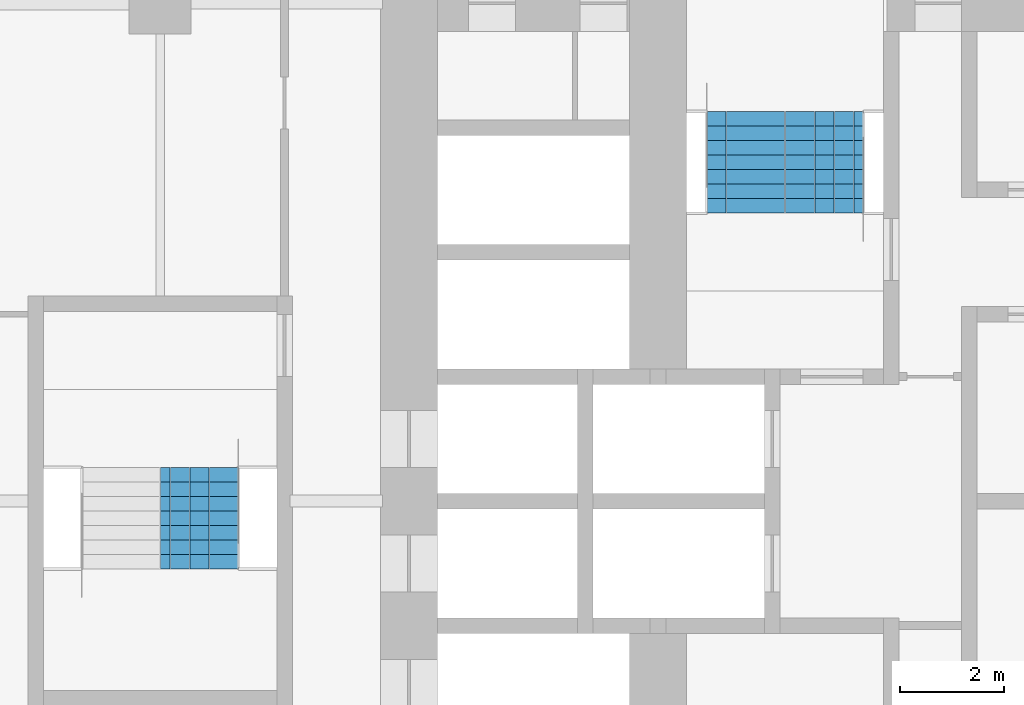
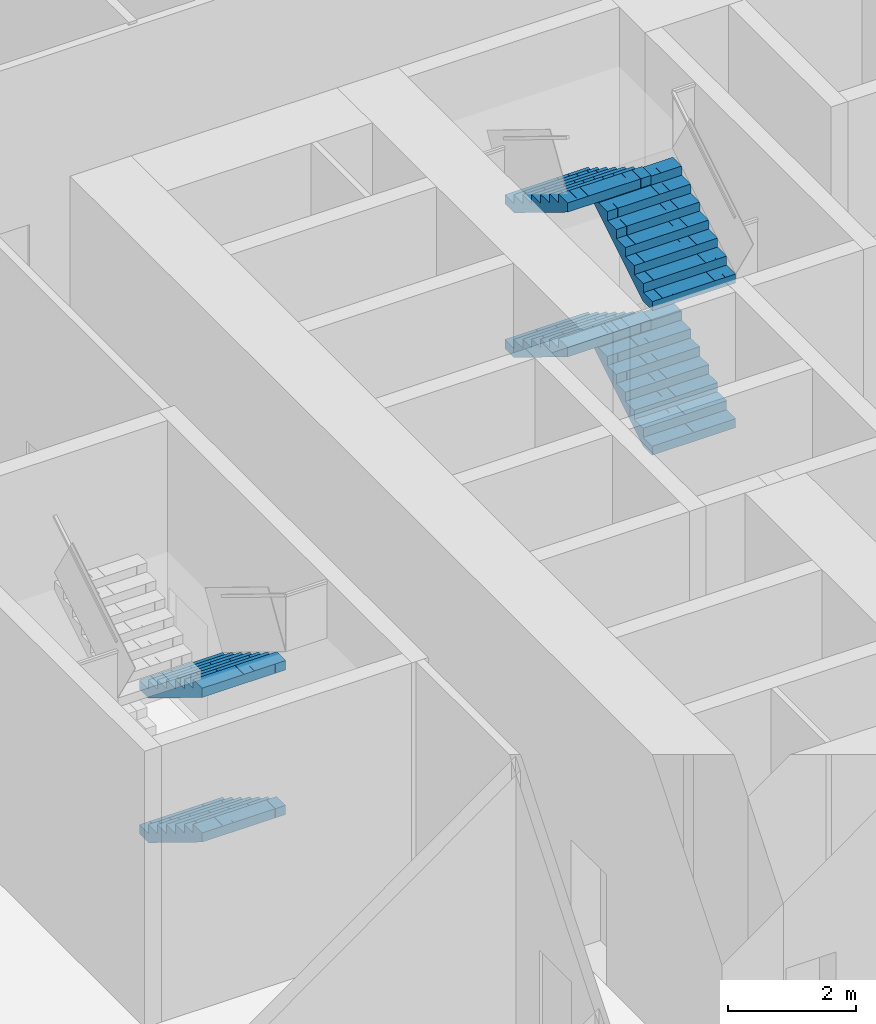
# One storey, part 25 of 29: 6 stair flights, 2 elements without a shape of their own.
"""IFC4 building model written with IfcOpenShell, lengths in metres."""

from ifc_helpers import new_model, si_unit, direction, frame, origin, place, context, subcontext, project, spatial, polyline, outline, extrude, material, type_object, element, aggregate, save


model = new_model("IFC4")

# Units and contexts
model_context = context("Model", 3, precision=1e-05, world=origin(), true_north=direction((0.0, 1.0)))
body_context = subcontext(model_context, "Body", "Model", "MODEL_VIEW")
ifc_project = project(units=[si_unit("LENGTHUNIT", "METRE"), si_unit("AREAUNIT", "SQUARE_METRE"), si_unit("VOLUMEUNIT", "CUBIC_METRE"), si_unit("PLANEANGLEUNIT", "RADIAN"), si_unit("MASSUNIT", "GRAM", prefix="KILO")], contexts=[model_context])

# Site, building, storey
site_placement = place(None, origin())
site = spatial("IfcSite", under=ifc_project, at=site_placement, CompositionType="ELEMENT")
building_placement = place(site_placement, origin())
building = spatial("IfcBuilding", under=site, at=building_placement, Name="Kolab Exchange Tower", CompositionType="ELEMENT")
storey_placement = place(building_placement, frame((0.0, 0.0, 55.39990234375)))
storey = spatial("IfcBuildingStorey", under=building, at=storey_placement, Name="L10", CompositionType="ELEMENT", Elevation=55.39990234375)

# Stair, stair flights
ifc_material = material(Name="Concrete C50/60", Category="concrete")
stair_type_1 = type_object("IfcStairType", Name="STAIR ST1 RISER 171.9", PredefinedType="DOUBLE_RETURN_STAIR", material=ifc_material)
stair_1_placement = place(storey_placement, origin())
stair_1 = element("IfcStair", 1, at=stair_1_placement, inside=storey, type_object=stair_type_1, Name="Stair 1", PredefinedType="DOUBLE_RETURN_STAIR")
stair_flight_type = type_object("IfcStairFlightType", Name="STAIR FLIGHT 1500 RISER 171.9", PredefinedType="STRAIGHT", material=ifc_material)
stair_flight_1_placement = place(storey_placement, frame((-6.389892578125, 5.550048828125, 0.0), z_axis=(0.0, 0.0, 1.0), x_axis=(0.0, 1.0, 0.0)))
stair_flight_1 = element("IfcStairFlight", 2, at=stair_flight_1_placement, type_object=stair_flight_type, Name="ST1 flight 1", NumberOfRisers=8, NumberOfTreads=7, PredefinedType="STRAIGHT", RiserHeight=0.171875, TreadLength=0.28, context=body_context, shape_type="SweptSolid", body=[
    extrude(outline(polyline([(0.0, 0.0), (0.0, 0.171875), (0.280029296875, 0.171875), (0.280029296875, 0.34375), (0.56005859375, 0.34375), (0.56005859375, 0.515625), (0.840087890625, 0.515625), (0.840087890625, 0.6875), (1.1201171875, 0.6875), (1.1201171875, 0.859375), (1.39990234375, 0.859375), (1.39990234375, 1.03125), (1.679931640625, 1.03125), (1.679931640625, 1.203125), (1.9599609375, 1.203125), (1.9599609375, 1.375), (1.9599609375, 1.02734375), (0.28662109375, 0.0), (0.0, 0.0)])), frame((0.0, 0.75, 0.0), z_axis=(0.0, -1.0, 0.0), x_axis=(1.0, 0.0, 0.0)), (0.0, 0.0, 1.0), 0.185791015625),
    extrude(outline(polyline([(0.0, 0.0), (0.0, 0.171875), (0.280029296875, 0.171875), (0.280029296875, 0.34375), (0.56005859375, 0.34375), (0.56005859375, 0.515625), (0.840087890625, 0.515625), (0.840087890625, 0.6875), (1.1201171875, 0.6875), (1.1201171875, 0.859375), (1.39990234375, 0.859375), (1.39990234375, 1.03125), (1.679931640625, 1.03125), (1.679931640625, 1.203125), (1.9599609375, 1.203125), (1.9599609375, 1.375), (1.9599609375, 1.02734375), (0.28662109375, 0.0), (0.0, 0.0)])), frame((0.0, 0.562255859375, 0.0), z_axis=(0.0, -1.0, 0.0), x_axis=(1.0, 0.0, 0.0)), (0.0, 0.0, 1.0), 0.185791015625),
    extrude(outline(polyline([(0.0, 0.0), (0.0, 0.171875), (0.280029296875, 0.171875), (0.280029296875, 0.34375), (0.56005859375, 0.34375), (0.56005859375, 0.515625), (0.840087890625, 0.515625), (0.840087890625, 0.6875), (1.1201171875, 0.6875), (1.1201171875, 0.859375), (1.39990234375, 0.859375), (1.39990234375, 1.03125), (1.679931640625, 1.03125), (1.679931640625, 1.203125), (1.9599609375, 1.203125), (1.9599609375, 1.375), (1.9599609375, 1.02734375), (0.28662109375, 0.0), (0.0, 0.0)])), frame((0.0, 0.37451171875, 0.0), z_axis=(0.0, -1.0, 0.0), x_axis=(1.0, 0.0, 0.0)), (0.0, 0.0, 1.0), 0.185791015625),
    extrude(outline(polyline([(0.0, 0.0), (0.0, 0.171875), (0.280029296875, 0.171875), (0.280029296875, 0.34375), (0.56005859375, 0.34375), (0.56005859375, 0.515625), (0.840087890625, 0.515625), (0.840087890625, 0.6875), (1.1201171875, 0.6875), (1.1201171875, 0.859375), (1.39990234375, 0.859375), (1.39990234375, 1.03125), (1.679931640625, 1.03125), (1.679931640625, 1.203125), (1.9599609375, 1.203125), (1.9599609375, 1.375), (1.9599609375, 1.02734375), (0.28662109375, 0.0), (0.0, 0.0)])), frame((0.0, 0.186767578125, 0.0), z_axis=(0.0, -1.0, 0.0), x_axis=(1.0, 0.0, 0.0)), (0.0, 0.0, 1.0), 0.185791015625),
    extrude(outline(polyline([(0.0, 0.0), (0.0, 0.171875), (0.280029296875, 0.171875), (0.280029296875, 0.34375), (0.56005859375, 0.34375), (0.56005859375, 0.515625), (0.840087890625, 0.515625), (0.840087890625, 0.6875), (1.1201171875, 0.6875), (1.1201171875, 0.859375), (1.39990234375, 0.859375), (1.39990234375, 1.03125), (1.679931640625, 1.03125), (1.679931640625, 1.203125), (1.9599609375, 1.203125), (1.9599609375, 1.375), (1.9599609375, 1.02734375), (0.28662109375, 0.0), (0.0, 0.0)])), frame((0.0, -0.0009765625, 0.0), z_axis=(0.0, -1.0, 0.0), x_axis=(1.0, 0.0, 0.0)), (0.0, 0.0, 1.0), 0.185791015625),
    extrude(outline(polyline([(0.0, 0.0), (0.0, 0.171875), (0.280029296875, 0.171875), (0.280029296875, 0.34375), (0.56005859375, 0.34375), (0.56005859375, 0.515625), (0.840087890625, 0.515625), (0.840087890625, 0.6875), (1.1201171875, 0.6875), (1.1201171875, 0.859375), (1.39990234375, 0.859375), (1.39990234375, 1.03125), (1.679931640625, 1.03125), (1.679931640625, 1.203125), (1.9599609375, 1.203125), (1.9599609375, 1.375), (1.9599609375, 1.02734375), (0.28662109375, 0.0), (0.0, 0.0)])), frame((0.0, -0.188720703125, 0.0), z_axis=(0.0, -1.0, 0.0), x_axis=(1.0, 0.0, 0.0)), (0.0, 0.0, 1.0), 0.185791015625),
    extrude(outline(polyline([(0.0, 0.0), (0.0, 0.171875), (0.280029296875, 0.171875), (0.280029296875, 0.34375), (0.56005859375, 0.34375), (0.56005859375, 0.515625), (0.840087890625, 0.515625), (0.840087890625, 0.6875), (1.1201171875, 0.6875), (1.1201171875, 0.859375), (1.39990234375, 0.859375), (1.39990234375, 1.03125), (1.679931640625, 1.03125), (1.679931640625, 1.203125), (1.9599609375, 1.203125), (1.9599609375, 1.375), (1.9599609375, 1.02734375), (0.28662109375, 0.0), (0.0, 0.0)])), frame((0.0, -0.37646484375, 0.0), z_axis=(0.0, -1.0, 0.0), x_axis=(1.0, 0.0, 0.0)), (0.0, 0.0, 1.0), 0.185791015625),
    extrude(outline(polyline([(0.0, 0.0), (0.0, 0.171875), (0.280029296875, 0.171875), (0.280029296875, 0.34375), (0.56005859375, 0.34375), (0.56005859375, 0.515625), (0.840087890625, 0.515625), (0.840087890625, 0.6875), (1.1201171875, 0.6875), (1.1201171875, 0.859375), (1.39990234375, 0.859375), (1.39990234375, 1.03125), (1.679931640625, 1.03125), (1.679931640625, 1.203125), (1.9599609375, 1.203125), (1.9599609375, 1.375), (1.9599609375, 1.02734375), (0.28662109375, 0.0), (0.0, 0.0)])), frame((0.0, -0.564208984375, 0.0), z_axis=(0.0, -1.0, 0.0), x_axis=(1.0, 0.0, 0.0)), (0.0, 0.0, 1.0), 0.185791015625),
])
stair_flight_2_placement = place(storey_placement, frame((-7.909912109375, 7.510009765625, 1.375), z_axis=(0.0, 0.0, 1.0), x_axis=(0.0, -1.0, 0.0)))
stair_flight_2 = element("IfcStairFlight", 3, at=stair_flight_2_placement, type_object=stair_flight_type, Name="ST1 flight 2", NumberOfRisers=8, NumberOfTreads=7, PredefinedType="STRAIGHT", RiserHeight=0.171875, TreadLength=0.28, context=body_context, shape_type="SweptSolid", body=[
    extrude(outline(polyline([(0.0, 0.0), (0.0, 0.171875), (0.280029296875, 0.171875), (0.280029296875, 0.34375), (0.56005859375, 0.34375), (0.56005859375, 0.515625), (0.840087890625, 0.515625), (0.840087890625, 0.6875), (1.1201171875, 0.6875), (1.1201171875, 0.859375), (1.39990234375, 0.859375), (1.39990234375, 1.03125), (1.679931640625, 1.03125), (1.679931640625, 1.203125), (1.9599609375, 1.203125), (1.9599609375, 1.375), (1.9599609375, 1.02734375), (0.28662109375, 0.0), (0.0, 0.0)])), frame((0.0, 0.75, 0.0), z_axis=(0.0, -1.0, 0.0), x_axis=(1.0, 0.0, 0.0)), (0.0, 0.0, 1.0), 0.185791015625),
    extrude(outline(polyline([(0.0, 0.0), (0.0, 0.171875), (0.280029296875, 0.171875), (0.280029296875, 0.34375), (0.56005859375, 0.34375), (0.56005859375, 0.515625), (0.840087890625, 0.515625), (0.840087890625, 0.6875), (1.1201171875, 0.6875), (1.1201171875, 0.859375), (1.39990234375, 0.859375), (1.39990234375, 1.03125), (1.679931640625, 1.03125), (1.679931640625, 1.203125), (1.9599609375, 1.203125), (1.9599609375, 1.375), (1.9599609375, 1.02734375), (0.28662109375, 0.0), (0.0, 0.0)])), frame((0.0, 0.562255859375, 0.0), z_axis=(0.0, -1.0, 0.0), x_axis=(1.0, 0.0, 0.0)), (0.0, 0.0, 1.0), 0.185791015625),
    extrude(outline(polyline([(0.0, 0.0), (0.0, 0.171875), (0.280029296875, 0.171875), (0.280029296875, 0.34375), (0.56005859375, 0.34375), (0.56005859375, 0.515625), (0.840087890625, 0.515625), (0.840087890625, 0.6875), (1.1201171875, 0.6875), (1.1201171875, 0.859375), (1.39990234375, 0.859375), (1.39990234375, 1.03125), (1.679931640625, 1.03125), (1.679931640625, 1.203125), (1.9599609375, 1.203125), (1.9599609375, 1.375), (1.9599609375, 1.02734375), (0.28662109375, 0.0), (0.0, 0.0)])), frame((0.0, 0.37451171875, 0.0), z_axis=(0.0, -1.0, 0.0), x_axis=(1.0, 0.0, 0.0)), (0.0, 0.0, 1.0), 0.185791015625),
    extrude(outline(polyline([(0.0, 0.0), (0.0, 0.171875), (0.280029296875, 0.171875), (0.280029296875, 0.34375), (0.56005859375, 0.34375), (0.56005859375, 0.515625), (0.840087890625, 0.515625), (0.840087890625, 0.6875), (1.1201171875, 0.6875), (1.1201171875, 0.859375), (1.39990234375, 0.859375), (1.39990234375, 1.03125), (1.679931640625, 1.03125), (1.679931640625, 1.203125), (1.9599609375, 1.203125), (1.9599609375, 1.375), (1.9599609375, 1.02734375), (0.28662109375, 0.0), (0.0, 0.0)])), frame((0.0, 0.186767578125, 0.0), z_axis=(0.0, -1.0, 0.0), x_axis=(1.0, 0.0, 0.0)), (0.0, 0.0, 1.0), 0.185791015625),
    extrude(outline(polyline([(0.0, 0.0), (0.0, 0.171875), (0.280029296875, 0.171875), (0.280029296875, 0.34375), (0.56005859375, 0.34375), (0.56005859375, 0.515625), (0.840087890625, 0.515625), (0.840087890625, 0.6875), (1.1201171875, 0.6875), (1.1201171875, 0.859375), (1.39990234375, 0.859375), (1.39990234375, 1.03125), (1.679931640625, 1.03125), (1.679931640625, 1.203125), (1.9599609375, 1.203125), (1.9599609375, 1.375), (1.9599609375, 1.02734375), (0.28662109375, 0.0), (0.0, 0.0)])), frame((0.0, -0.0009765625, 0.0), z_axis=(0.0, -1.0, 0.0), x_axis=(1.0, 0.0, 0.0)), (0.0, 0.0, 1.0), 0.185791015625),
    extrude(outline(polyline([(0.0, 0.0), (0.0, 0.171875), (0.280029296875, 0.171875), (0.280029296875, 0.34375), (0.56005859375, 0.34375), (0.56005859375, 0.515625), (0.840087890625, 0.515625), (0.840087890625, 0.6875), (1.1201171875, 0.6875), (1.1201171875, 0.859375), (1.39990234375, 0.859375), (1.39990234375, 1.03125), (1.679931640625, 1.03125), (1.679931640625, 1.203125), (1.9599609375, 1.203125), (1.9599609375, 1.375), (1.9599609375, 1.02734375), (0.28662109375, 0.0), (0.0, 0.0)])), frame((0.0, -0.188720703125, 0.0), z_axis=(0.0, -1.0, 0.0), x_axis=(1.0, 0.0, 0.0)), (0.0, 0.0, 1.0), 0.185791015625),
    extrude(outline(polyline([(0.0, 0.0), (0.0, 0.171875), (0.280029296875, 0.171875), (0.280029296875, 0.34375), (0.56005859375, 0.34375), (0.56005859375, 0.515625), (0.840087890625, 0.515625), (0.840087890625, 0.6875), (1.1201171875, 0.6875), (1.1201171875, 0.859375), (1.39990234375, 0.859375), (1.39990234375, 1.03125), (1.679931640625, 1.03125), (1.679931640625, 1.203125), (1.9599609375, 1.203125), (1.9599609375, 1.375), (1.9599609375, 1.02734375), (0.28662109375, 0.0), (0.0, 0.0)])), frame((0.0, -0.37646484375, 0.0), z_axis=(0.0, -1.0, 0.0), x_axis=(1.0, 0.0, 0.0)), (0.0, 0.0, 1.0), 0.185791015625),
    extrude(outline(polyline([(0.0, 0.0), (0.0, 0.171875), (0.280029296875, 0.171875), (0.280029296875, 0.34375), (0.56005859375, 0.34375), (0.56005859375, 0.515625), (0.840087890625, 0.515625), (0.840087890625, 0.6875), (1.1201171875, 0.6875), (1.1201171875, 0.859375), (1.39990234375, 0.859375), (1.39990234375, 1.03125), (1.679931640625, 1.03125), (1.679931640625, 1.203125), (1.9599609375, 1.203125), (1.9599609375, 1.375), (1.9599609375, 1.02734375), (0.28662109375, 0.0), (0.0, 0.0)])), frame((0.0, -0.564208984375, 0.0), z_axis=(0.0, -1.0, 0.0), x_axis=(1.0, 0.0, 0.0)), (0.0, 0.0, 1.0), 0.185791015625),
])
stair_flight_3_placement = place(storey_placement, frame((-6.389892578125, 5.550048828125, 2.75), z_axis=(0.0, 0.0, 1.0), x_axis=(0.0, 1.0, 0.0)))
stair_flight_3 = element("IfcStairFlight", 4, at=stair_flight_3_placement, type_object=stair_flight_type, Name="ST1 flight 3", NumberOfRisers=8, NumberOfTreads=7, PredefinedType="STRAIGHT", RiserHeight=0.171875, TreadLength=0.28, context=body_context, shape_type="SweptSolid", body=[
    extrude(outline(polyline([(0.0, 0.0), (0.0, 0.171875), (0.280029296875, 0.171875), (0.280029296875, 0.34375), (0.56005859375, 0.34375), (0.56005859375, 0.515625), (0.840087890625, 0.515625), (0.840087890625, 0.6875), (1.1201171875, 0.6875), (1.1201171875, 0.859375), (1.39990234375, 0.859375), (1.39990234375, 1.03125), (1.679931640625, 1.03125), (1.679931640625, 1.203125), (1.9599609375, 1.203125), (1.9599609375, 1.375), (1.9599609375, 1.02734375), (0.28662109375, 0.0), (0.0, 0.0)])), frame((0.0, 0.75, 0.0), z_axis=(0.0, -1.0, 0.0), x_axis=(1.0, 0.0, 0.0)), (0.0, 0.0, 1.0), 0.185791015625),
    extrude(outline(polyline([(0.0, 0.0), (0.0, 0.171875), (0.280029296875, 0.171875), (0.280029296875, 0.34375), (0.56005859375, 0.34375), (0.56005859375, 0.515625), (0.840087890625, 0.515625), (0.840087890625, 0.6875), (1.1201171875, 0.6875), (1.1201171875, 0.859375), (1.39990234375, 0.859375), (1.39990234375, 1.03125), (1.679931640625, 1.03125), (1.679931640625, 1.203125), (1.9599609375, 1.203125), (1.9599609375, 1.375), (1.9599609375, 1.02734375), (0.28662109375, 0.0), (0.0, 0.0)])), frame((0.0, 0.562255859375, 0.0), z_axis=(0.0, -1.0, 0.0), x_axis=(1.0, 0.0, 0.0)), (0.0, 0.0, 1.0), 0.185791015625),
    extrude(outline(polyline([(0.0, 0.0), (0.0, 0.171875), (0.280029296875, 0.171875), (0.280029296875, 0.34375), (0.56005859375, 0.34375), (0.56005859375, 0.515625), (0.840087890625, 0.515625), (0.840087890625, 0.6875), (1.1201171875, 0.6875), (1.1201171875, 0.859375), (1.39990234375, 0.859375), (1.39990234375, 1.03125), (1.679931640625, 1.03125), (1.679931640625, 1.203125), (1.9599609375, 1.203125), (1.9599609375, 1.375), (1.9599609375, 1.02734375), (0.28662109375, 0.0), (0.0, 0.0)])), frame((0.0, 0.37451171875, 0.0), z_axis=(0.0, -1.0, 0.0), x_axis=(1.0, 0.0, 0.0)), (0.0, 0.0, 1.0), 0.185791015625),
    extrude(outline(polyline([(0.0, 0.0), (0.0, 0.171875), (0.280029296875, 0.171875), (0.280029296875, 0.34375), (0.56005859375, 0.34375), (0.56005859375, 0.515625), (0.840087890625, 0.515625), (0.840087890625, 0.6875), (1.1201171875, 0.6875), (1.1201171875, 0.859375), (1.39990234375, 0.859375), (1.39990234375, 1.03125), (1.679931640625, 1.03125), (1.679931640625, 1.203125), (1.9599609375, 1.203125), (1.9599609375, 1.375), (1.9599609375, 1.02734375), (0.28662109375, 0.0), (0.0, 0.0)])), frame((0.0, 0.186767578125, 0.0), z_axis=(0.0, -1.0, 0.0), x_axis=(1.0, 0.0, 0.0)), (0.0, 0.0, 1.0), 0.185791015625),
    extrude(outline(polyline([(0.0, 0.0), (0.0, 0.171875), (0.280029296875, 0.171875), (0.280029296875, 0.34375), (0.56005859375, 0.34375), (0.56005859375, 0.515625), (0.840087890625, 0.515625), (0.840087890625, 0.6875), (1.1201171875, 0.6875), (1.1201171875, 0.859375), (1.39990234375, 0.859375), (1.39990234375, 1.03125), (1.679931640625, 1.03125), (1.679931640625, 1.203125), (1.9599609375, 1.203125), (1.9599609375, 1.375), (1.9599609375, 1.02734375), (0.28662109375, 0.0), (0.0, 0.0)])), frame((0.0, -0.0009765625, 0.0), z_axis=(0.0, -1.0, 0.0), x_axis=(1.0, 0.0, 0.0)), (0.0, 0.0, 1.0), 0.185791015625),
    extrude(outline(polyline([(0.0, 0.0), (0.0, 0.171875), (0.280029296875, 0.171875), (0.280029296875, 0.34375), (0.56005859375, 0.34375), (0.56005859375, 0.515625), (0.840087890625, 0.515625), (0.840087890625, 0.6875), (1.1201171875, 0.6875), (1.1201171875, 0.859375), (1.39990234375, 0.859375), (1.39990234375, 1.03125), (1.679931640625, 1.03125), (1.679931640625, 1.203125), (1.9599609375, 1.203125), (1.9599609375, 1.375), (1.9599609375, 1.02734375), (0.28662109375, 0.0), (0.0, 0.0)])), frame((0.0, -0.188720703125, 0.0), z_axis=(0.0, -1.0, 0.0), x_axis=(1.0, 0.0, 0.0)), (0.0, 0.0, 1.0), 0.185791015625),
    extrude(outline(polyline([(0.0, 0.0), (0.0, 0.171875), (0.280029296875, 0.171875), (0.280029296875, 0.34375), (0.56005859375, 0.34375), (0.56005859375, 0.515625), (0.840087890625, 0.515625), (0.840087890625, 0.6875), (1.1201171875, 0.6875), (1.1201171875, 0.859375), (1.39990234375, 0.859375), (1.39990234375, 1.03125), (1.679931640625, 1.03125), (1.679931640625, 1.203125), (1.9599609375, 1.203125), (1.9599609375, 1.375), (1.9599609375, 1.02734375), (0.28662109375, 0.0), (0.0, 0.0)])), frame((0.0, -0.37646484375, 0.0), z_axis=(0.0, -1.0, 0.0), x_axis=(1.0, 0.0, 0.0)), (0.0, 0.0, 1.0), 0.185791015625),
    extrude(outline(polyline([(0.0, 0.0), (0.0, 0.171875), (0.280029296875, 0.171875), (0.280029296875, 0.34375), (0.56005859375, 0.34375), (0.56005859375, 0.515625), (0.840087890625, 0.515625), (0.840087890625, 0.6875), (1.1201171875, 0.6875), (1.1201171875, 0.859375), (1.39990234375, 0.859375), (1.39990234375, 1.03125), (1.679931640625, 1.03125), (1.679931640625, 1.203125), (1.9599609375, 1.203125), (1.9599609375, 1.375), (1.9599609375, 1.02734375), (0.28662109375, 0.0), (0.0, 0.0)])), frame((0.0, -0.564208984375, 0.0), z_axis=(0.0, -1.0, 0.0), x_axis=(1.0, 0.0, 0.0)), (0.0, 0.0, 1.0), 0.185791015625),
])
stair_flight_4_placement = place(storey_placement, frame((-7.909912109375, 7.510009765625, 4.125), z_axis=(0.0, 0.0, 1.0), x_axis=(0.0, -1.0, 0.0)))
stair_flight_4 = element("IfcStairFlight", 5, at=stair_flight_4_placement, type_object=stair_flight_type, Name="ST1 flight 4", NumberOfRisers=8, NumberOfTreads=7, PredefinedType="STRAIGHT", RiserHeight=0.171875, TreadLength=0.28, context=body_context, shape_type="SweptSolid", body=[
    extrude(outline(polyline([(0.0, 0.0), (0.0, 0.171875), (0.280029296875, 0.171875), (0.280029296875, 0.34375), (0.56005859375, 0.34375), (0.56005859375, 0.515625), (0.840087890625, 0.515625), (0.840087890625, 0.6875), (1.1201171875, 0.6875), (1.1201171875, 0.859375), (1.39990234375, 0.859375), (1.39990234375, 1.03125), (1.679931640625, 1.03125), (1.679931640625, 1.203125), (1.9599609375, 1.203125), (1.9599609375, 1.375), (1.9599609375, 1.02734375), (0.28662109375, 0.0), (0.0, 0.0)])), frame((0.0, 0.75, 0.0), z_axis=(0.0, -1.0, 0.0), x_axis=(1.0, 0.0, 0.0)), (0.0, 0.0, 1.0), 0.185791015625),
    extrude(outline(polyline([(0.0, 0.0), (0.0, 0.171875), (0.280029296875, 0.171875), (0.280029296875, 0.34375), (0.56005859375, 0.34375), (0.56005859375, 0.515625), (0.840087890625, 0.515625), (0.840087890625, 0.6875), (1.1201171875, 0.6875), (1.1201171875, 0.859375), (1.39990234375, 0.859375), (1.39990234375, 1.03125), (1.679931640625, 1.03125), (1.679931640625, 1.203125), (1.9599609375, 1.203125), (1.9599609375, 1.375), (1.9599609375, 1.02734375), (0.28662109375, 0.0), (0.0, 0.0)])), frame((0.0, 0.562255859375, 0.0), z_axis=(0.0, -1.0, 0.0), x_axis=(1.0, 0.0, 0.0)), (0.0, 0.0, 1.0), 0.185791015625),
    extrude(outline(polyline([(0.0, 0.0), (0.0, 0.171875), (0.280029296875, 0.171875), (0.280029296875, 0.34375), (0.56005859375, 0.34375), (0.56005859375, 0.515625), (0.840087890625, 0.515625), (0.840087890625, 0.6875), (1.1201171875, 0.6875), (1.1201171875, 0.859375), (1.39990234375, 0.859375), (1.39990234375, 1.03125), (1.679931640625, 1.03125), (1.679931640625, 1.203125), (1.9599609375, 1.203125), (1.9599609375, 1.375), (1.9599609375, 1.02734375), (0.28662109375, 0.0), (0.0, 0.0)])), frame((0.0, 0.37451171875, 0.0), z_axis=(0.0, -1.0, 0.0), x_axis=(1.0, 0.0, 0.0)), (0.0, 0.0, 1.0), 0.185791015625),
    extrude(outline(polyline([(0.0, 0.0), (0.0, 0.171875), (0.280029296875, 0.171875), (0.280029296875, 0.34375), (0.56005859375, 0.34375), (0.56005859375, 0.515625), (0.840087890625, 0.515625), (0.840087890625, 0.6875), (1.1201171875, 0.6875), (1.1201171875, 0.859375), (1.39990234375, 0.859375), (1.39990234375, 1.03125), (1.679931640625, 1.03125), (1.679931640625, 1.203125), (1.9599609375, 1.203125), (1.9599609375, 1.375), (1.9599609375, 1.02734375), (0.28662109375, 0.0), (0.0, 0.0)])), frame((0.0, 0.186767578125, 0.0), z_axis=(0.0, -1.0, 0.0), x_axis=(1.0, 0.0, 0.0)), (0.0, 0.0, 1.0), 0.185791015625),
    extrude(outline(polyline([(0.0, 0.0), (0.0, 0.171875), (0.280029296875, 0.171875), (0.280029296875, 0.34375), (0.56005859375, 0.34375), (0.56005859375, 0.515625), (0.840087890625, 0.515625), (0.840087890625, 0.6875), (1.1201171875, 0.6875), (1.1201171875, 0.859375), (1.39990234375, 0.859375), (1.39990234375, 1.03125), (1.679931640625, 1.03125), (1.679931640625, 1.203125), (1.9599609375, 1.203125), (1.9599609375, 1.375), (1.9599609375, 1.02734375), (0.28662109375, 0.0), (0.0, 0.0)])), frame((0.0, -0.0009765625, 0.0), z_axis=(0.0, -1.0, 0.0), x_axis=(1.0, 0.0, 0.0)), (0.0, 0.0, 1.0), 0.185791015625),
    extrude(outline(polyline([(0.0, 0.0), (0.0, 0.171875), (0.280029296875, 0.171875), (0.280029296875, 0.34375), (0.56005859375, 0.34375), (0.56005859375, 0.515625), (0.840087890625, 0.515625), (0.840087890625, 0.6875), (1.1201171875, 0.6875), (1.1201171875, 0.859375), (1.39990234375, 0.859375), (1.39990234375, 1.03125), (1.679931640625, 1.03125), (1.679931640625, 1.203125), (1.9599609375, 1.203125), (1.9599609375, 1.375), (1.9599609375, 1.02734375), (0.28662109375, 0.0), (0.0, 0.0)])), frame((0.0, -0.188720703125, 0.0), z_axis=(0.0, -1.0, 0.0), x_axis=(1.0, 0.0, 0.0)), (0.0, 0.0, 1.0), 0.185791015625),
    extrude(outline(polyline([(0.0, 0.0), (0.0, 0.171875), (0.280029296875, 0.171875), (0.280029296875, 0.34375), (0.56005859375, 0.34375), (0.56005859375, 0.515625), (0.840087890625, 0.515625), (0.840087890625, 0.6875), (1.1201171875, 0.6875), (1.1201171875, 0.859375), (1.39990234375, 0.859375), (1.39990234375, 1.03125), (1.679931640625, 1.03125), (1.679931640625, 1.203125), (1.9599609375, 1.203125), (1.9599609375, 1.375), (1.9599609375, 1.02734375), (0.28662109375, 0.0), (0.0, 0.0)])), frame((0.0, -0.37646484375, 0.0), z_axis=(0.0, -1.0, 0.0), x_axis=(1.0, 0.0, 0.0)), (0.0, 0.0, 1.0), 0.185791015625),
    extrude(outline(polyline([(0.0, 0.0), (0.0, 0.171875), (0.280029296875, 0.171875), (0.280029296875, 0.34375), (0.56005859375, 0.34375), (0.56005859375, 0.515625), (0.840087890625, 0.515625), (0.840087890625, 0.6875), (1.1201171875, 0.6875), (1.1201171875, 0.859375), (1.39990234375, 0.859375), (1.39990234375, 1.03125), (1.679931640625, 1.03125), (1.679931640625, 1.203125), (1.9599609375, 1.203125), (1.9599609375, 1.375), (1.9599609375, 1.02734375), (0.28662109375, 0.0), (0.0, 0.0)])), frame((0.0, -0.564208984375, 0.0), z_axis=(0.0, -1.0, 0.0), x_axis=(1.0, 0.0, 0.0)), (0.0, 0.0, 1.0), 0.185791015625),
])
aggregate(stair_1, [stair_flight_1, stair_flight_2, stair_flight_3, stair_flight_4])

stair_type_2 = type_object("IfcStairType", Name="STAIR ST5 RISER 171.9", PredefinedType="DOUBLE_RETURN_STAIR", material=ifc_material)
stair_2_placement = place(storey_placement, origin())
stair_2 = element("IfcStair", 6, at=stair_2_placement, inside=storey, type_object=stair_type_2, Name="Stair 5", PredefinedType="DOUBLE_RETURN_STAIR")
stair_flight_5_placement = place(storey_placement, frame((-18.43994140625, 0.64990234375, 0.0), z_axis=(0.0, 0.0, 1.0), x_axis=(0.0, -1.0, 0.0)))
stair_flight_5 = element("IfcStairFlight", 7, at=stair_flight_5_placement, type_object=stair_flight_type, Name="ST5 flight 1", NumberOfRisers=8, NumberOfTreads=7, PredefinedType="STRAIGHT", RiserHeight=0.171875, TreadLength=0.28, context=body_context, shape_type="SweptSolid", body=[
    extrude(outline(polyline([(0.0, 0.0), (0.0, 0.171875), (0.280029296875, 0.171875), (0.280029296875, 0.34375), (0.56005859375, 0.34375), (0.56005859375, 0.515625), (0.840087890625, 0.515625), (0.840087890625, 0.6875), (1.1201171875, 0.6875), (1.1201171875, 0.859375), (1.39990234375, 0.859375), (1.39990234375, 1.03125), (1.679931640625, 1.03125), (1.679931640625, 1.203125), (1.9599609375, 1.203125), (1.9599609375, 1.375), (1.9599609375, 1.02734375), (0.28662109375, 0.0), (0.0, 0.0)])), frame((0.0, 0.75, 0.0), z_axis=(0.0, -1.0, 0.0), x_axis=(1.0, 0.0, 0.0)), (0.0, 0.0, 1.0), 0.185791015625),
    extrude(outline(polyline([(0.0, 0.0), (0.0, 0.171875), (0.280029296875, 0.171875), (0.280029296875, 0.34375), (0.56005859375, 0.34375), (0.56005859375, 0.515625), (0.840087890625, 0.515625), (0.840087890625, 0.6875), (1.1201171875, 0.6875), (1.1201171875, 0.859375), (1.39990234375, 0.859375), (1.39990234375, 1.03125), (1.679931640625, 1.03125), (1.679931640625, 1.203125), (1.9599609375, 1.203125), (1.9599609375, 1.375), (1.9599609375, 1.02734375), (0.28662109375, 0.0), (0.0, 0.0)])), frame((0.0, 0.562255859375, 0.0), z_axis=(0.0, -1.0, 0.0), x_axis=(1.0, 0.0, 0.0)), (0.0, 0.0, 1.0), 0.185791015625),
    extrude(outline(polyline([(0.0, 0.0), (0.0, 0.171875), (0.280029296875, 0.171875), (0.280029296875, 0.34375), (0.56005859375, 0.34375), (0.56005859375, 0.515625), (0.840087890625, 0.515625), (0.840087890625, 0.6875), (1.1201171875, 0.6875), (1.1201171875, 0.859375), (1.39990234375, 0.859375), (1.39990234375, 1.03125), (1.679931640625, 1.03125), (1.679931640625, 1.203125), (1.9599609375, 1.203125), (1.9599609375, 1.375), (1.9599609375, 1.02734375), (0.28662109375, 0.0), (0.0, 0.0)])), frame((0.0, 0.37451171875, 0.0), z_axis=(0.0, -1.0, 0.0), x_axis=(1.0, 0.0, 0.0)), (0.0, 0.0, 1.0), 0.185791015625),
    extrude(outline(polyline([(0.0, 0.0), (0.0, 0.171875), (0.280029296875, 0.171875), (0.280029296875, 0.34375), (0.56005859375, 0.34375), (0.56005859375, 0.515625), (0.840087890625, 0.515625), (0.840087890625, 0.6875), (1.1201171875, 0.6875), (1.1201171875, 0.859375), (1.39990234375, 0.859375), (1.39990234375, 1.03125), (1.679931640625, 1.03125), (1.679931640625, 1.203125), (1.9599609375, 1.203125), (1.9599609375, 1.375), (1.9599609375, 1.02734375), (0.28662109375, 0.0), (0.0, 0.0)])), frame((0.0, 0.186767578125, 0.0), z_axis=(0.0, -1.0, 0.0), x_axis=(1.0, 0.0, 0.0)), (0.0, 0.0, 1.0), 0.185791015625),
    extrude(outline(polyline([(0.0, 0.0), (0.0, 0.171875), (0.280029296875, 0.171875), (0.280029296875, 0.34375), (0.56005859375, 0.34375), (0.56005859375, 0.515625), (0.840087890625, 0.515625), (0.840087890625, 0.6875), (1.1201171875, 0.6875), (1.1201171875, 0.859375), (1.39990234375, 0.859375), (1.39990234375, 1.03125), (1.679931640625, 1.03125), (1.679931640625, 1.203125), (1.9599609375, 1.203125), (1.9599609375, 1.375), (1.9599609375, 1.02734375), (0.28662109375, 0.0), (0.0, 0.0)])), frame((0.0, -0.0009765625, 0.0), z_axis=(0.0, -1.0, 0.0), x_axis=(1.0, 0.0, 0.0)), (0.0, 0.0, 1.0), 0.185791015625),
    extrude(outline(polyline([(0.0, 0.0), (0.0, 0.171875), (0.280029296875, 0.171875), (0.280029296875, 0.34375), (0.56005859375, 0.34375), (0.56005859375, 0.515625), (0.840087890625, 0.515625), (0.840087890625, 0.6875), (1.1201171875, 0.6875), (1.1201171875, 0.859375), (1.39990234375, 0.859375), (1.39990234375, 1.03125), (1.679931640625, 1.03125), (1.679931640625, 1.203125), (1.9599609375, 1.203125), (1.9599609375, 1.375), (1.9599609375, 1.02734375), (0.28662109375, 0.0), (0.0, 0.0)])), frame((0.0, -0.188720703125, 0.0), z_axis=(0.0, -1.0, 0.0), x_axis=(1.0, 0.0, 0.0)), (0.0, 0.0, 1.0), 0.185791015625),
    extrude(outline(polyline([(0.0, 0.0), (0.0, 0.171875), (0.280029296875, 0.171875), (0.280029296875, 0.34375), (0.56005859375, 0.34375), (0.56005859375, 0.515625), (0.840087890625, 0.515625), (0.840087890625, 0.6875), (1.1201171875, 0.6875), (1.1201171875, 0.859375), (1.39990234375, 0.859375), (1.39990234375, 1.03125), (1.679931640625, 1.03125), (1.679931640625, 1.203125), (1.9599609375, 1.203125), (1.9599609375, 1.375), (1.9599609375, 1.02734375), (0.28662109375, 0.0), (0.0, 0.0)])), frame((0.0, -0.37646484375, 0.0), z_axis=(0.0, -1.0, 0.0), x_axis=(1.0, 0.0, 0.0)), (0.0, 0.0, 1.0), 0.185791015625),
    extrude(outline(polyline([(0.0, 0.0), (0.0, 0.171875), (0.280029296875, 0.171875), (0.280029296875, 0.34375), (0.56005859375, 0.34375), (0.56005859375, 0.515625), (0.840087890625, 0.515625), (0.840087890625, 0.6875), (1.1201171875, 0.6875), (1.1201171875, 0.859375), (1.39990234375, 0.859375), (1.39990234375, 1.03125), (1.679931640625, 1.03125), (1.679931640625, 1.203125), (1.9599609375, 1.203125), (1.9599609375, 1.375), (1.9599609375, 1.02734375), (0.28662109375, 0.0), (0.0, 0.0)])), frame((0.0, -0.564208984375, 0.0), z_axis=(0.0, -1.0, 0.0), x_axis=(1.0, 0.0, 0.0)), (0.0, 0.0, 1.0), 0.185791015625),
])
stair_flight_6_placement = place(storey_placement, frame((-18.43994140625, 0.64990234375, 2.75), z_axis=(0.0, 0.0, 1.0), x_axis=(0.0, -1.0, 0.0)))
stair_flight_6 = element("IfcStairFlight", 8, at=stair_flight_6_placement, type_object=stair_flight_type, Name="ST5 flight 3", NumberOfRisers=8, NumberOfTreads=7, PredefinedType="STRAIGHT", RiserHeight=0.171875, TreadLength=0.28, context=body_context, shape_type="SweptSolid", body=[
    extrude(outline(polyline([(0.0, 0.0), (0.0, 0.171875), (0.280029296875, 0.171875), (0.280029296875, 0.34375), (0.56005859375, 0.34375), (0.56005859375, 0.515625), (0.840087890625, 0.515625), (0.840087890625, 0.6875), (1.1201171875, 0.6875), (1.1201171875, 0.859375), (1.39990234375, 0.859375), (1.39990234375, 1.03125), (1.679931640625, 1.03125), (1.679931640625, 1.203125), (1.9599609375, 1.203125), (1.9599609375, 1.375), (1.9599609375, 1.02734375), (0.28662109375, 0.0), (0.0, 0.0)])), frame((0.0, 0.75, 0.0), z_axis=(0.0, -1.0, 0.0), x_axis=(1.0, 0.0, 0.0)), (0.0, 0.0, 1.0), 0.185791015625),
    extrude(outline(polyline([(0.0, 0.0), (0.0, 0.171875), (0.280029296875, 0.171875), (0.280029296875, 0.34375), (0.56005859375, 0.34375), (0.56005859375, 0.515625), (0.840087890625, 0.515625), (0.840087890625, 0.6875), (1.1201171875, 0.6875), (1.1201171875, 0.859375), (1.39990234375, 0.859375), (1.39990234375, 1.03125), (1.679931640625, 1.03125), (1.679931640625, 1.203125), (1.9599609375, 1.203125), (1.9599609375, 1.375), (1.9599609375, 1.02734375), (0.28662109375, 0.0), (0.0, 0.0)])), frame((0.0, 0.562255859375, 0.0), z_axis=(0.0, -1.0, 0.0), x_axis=(1.0, 0.0, 0.0)), (0.0, 0.0, 1.0), 0.185791015625),
    extrude(outline(polyline([(0.0, 0.0), (0.0, 0.171875), (0.280029296875, 0.171875), (0.280029296875, 0.34375), (0.56005859375, 0.34375), (0.56005859375, 0.515625), (0.840087890625, 0.515625), (0.840087890625, 0.6875), (1.1201171875, 0.6875), (1.1201171875, 0.859375), (1.39990234375, 0.859375), (1.39990234375, 1.03125), (1.679931640625, 1.03125), (1.679931640625, 1.203125), (1.9599609375, 1.203125), (1.9599609375, 1.375), (1.9599609375, 1.02734375), (0.28662109375, 0.0), (0.0, 0.0)])), frame((0.0, 0.37451171875, 0.0), z_axis=(0.0, -1.0, 0.0), x_axis=(1.0, 0.0, 0.0)), (0.0, 0.0, 1.0), 0.185791015625),
    extrude(outline(polyline([(0.0, 0.0), (0.0, 0.171875), (0.280029296875, 0.171875), (0.280029296875, 0.34375), (0.56005859375, 0.34375), (0.56005859375, 0.515625), (0.840087890625, 0.515625), (0.840087890625, 0.6875), (1.1201171875, 0.6875), (1.1201171875, 0.859375), (1.39990234375, 0.859375), (1.39990234375, 1.03125), (1.679931640625, 1.03125), (1.679931640625, 1.203125), (1.9599609375, 1.203125), (1.9599609375, 1.375), (1.9599609375, 1.02734375), (0.28662109375, 0.0), (0.0, 0.0)])), frame((0.0, 0.186767578125, 0.0), z_axis=(0.0, -1.0, 0.0), x_axis=(1.0, 0.0, 0.0)), (0.0, 0.0, 1.0), 0.185791015625),
    extrude(outline(polyline([(0.0, 0.0), (0.0, 0.171875), (0.280029296875, 0.171875), (0.280029296875, 0.34375), (0.56005859375, 0.34375), (0.56005859375, 0.515625), (0.840087890625, 0.515625), (0.840087890625, 0.6875), (1.1201171875, 0.6875), (1.1201171875, 0.859375), (1.39990234375, 0.859375), (1.39990234375, 1.03125), (1.679931640625, 1.03125), (1.679931640625, 1.203125), (1.9599609375, 1.203125), (1.9599609375, 1.375), (1.9599609375, 1.02734375), (0.28662109375, 0.0), (0.0, 0.0)])), frame((0.0, -0.0009765625, 0.0), z_axis=(0.0, -1.0, 0.0), x_axis=(1.0, 0.0, 0.0)), (0.0, 0.0, 1.0), 0.185791015625),
    extrude(outline(polyline([(0.0, 0.0), (0.0, 0.171875), (0.280029296875, 0.171875), (0.280029296875, 0.34375), (0.56005859375, 0.34375), (0.56005859375, 0.515625), (0.840087890625, 0.515625), (0.840087890625, 0.6875), (1.1201171875, 0.6875), (1.1201171875, 0.859375), (1.39990234375, 0.859375), (1.39990234375, 1.03125), (1.679931640625, 1.03125), (1.679931640625, 1.203125), (1.9599609375, 1.203125), (1.9599609375, 1.375), (1.9599609375, 1.02734375), (0.28662109375, 0.0), (0.0, 0.0)])), frame((0.0, -0.188720703125, 0.0), z_axis=(0.0, -1.0, 0.0), x_axis=(1.0, 0.0, 0.0)), (0.0, 0.0, 1.0), 0.185791015625),
    extrude(outline(polyline([(0.0, 0.0), (0.0, 0.171875), (0.280029296875, 0.171875), (0.280029296875, 0.34375), (0.56005859375, 0.34375), (0.56005859375, 0.515625), (0.840087890625, 0.515625), (0.840087890625, 0.6875), (1.1201171875, 0.6875), (1.1201171875, 0.859375), (1.39990234375, 0.859375), (1.39990234375, 1.03125), (1.679931640625, 1.03125), (1.679931640625, 1.203125), (1.9599609375, 1.203125), (1.9599609375, 1.375), (1.9599609375, 1.02734375), (0.28662109375, 0.0), (0.0, 0.0)])), frame((0.0, -0.37646484375, 0.0), z_axis=(0.0, -1.0, 0.0), x_axis=(1.0, 0.0, 0.0)), (0.0, 0.0, 1.0), 0.185791015625),
    extrude(outline(polyline([(0.0, 0.0), (0.0, 0.171875), (0.280029296875, 0.171875), (0.280029296875, 0.34375), (0.56005859375, 0.34375), (0.56005859375, 0.515625), (0.840087890625, 0.515625), (0.840087890625, 0.6875), (1.1201171875, 0.6875), (1.1201171875, 0.859375), (1.39990234375, 0.859375), (1.39990234375, 1.03125), (1.679931640625, 1.03125), (1.679931640625, 1.203125), (1.9599609375, 1.203125), (1.9599609375, 1.375), (1.9599609375, 1.02734375), (0.28662109375, 0.0), (0.0, 0.0)])), frame((0.0, -0.564208984375, 0.0), z_axis=(0.0, -1.0, 0.0), x_axis=(1.0, 0.0, 0.0)), (0.0, 0.0, 1.0), 0.185791015625),
])
aggregate(stair_2, [stair_flight_5, stair_flight_6])

save(model, "model.ifc")
